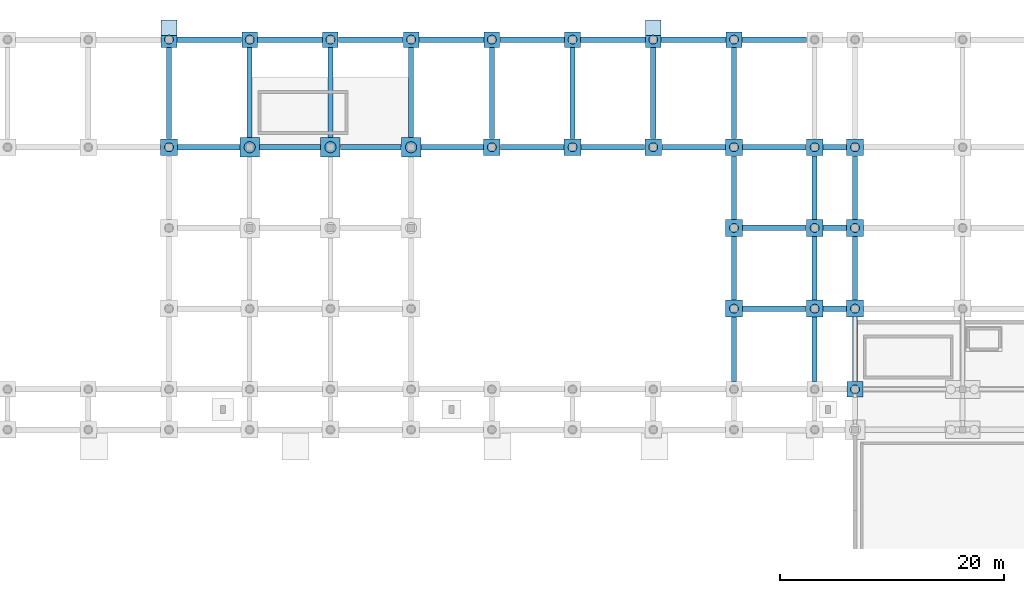
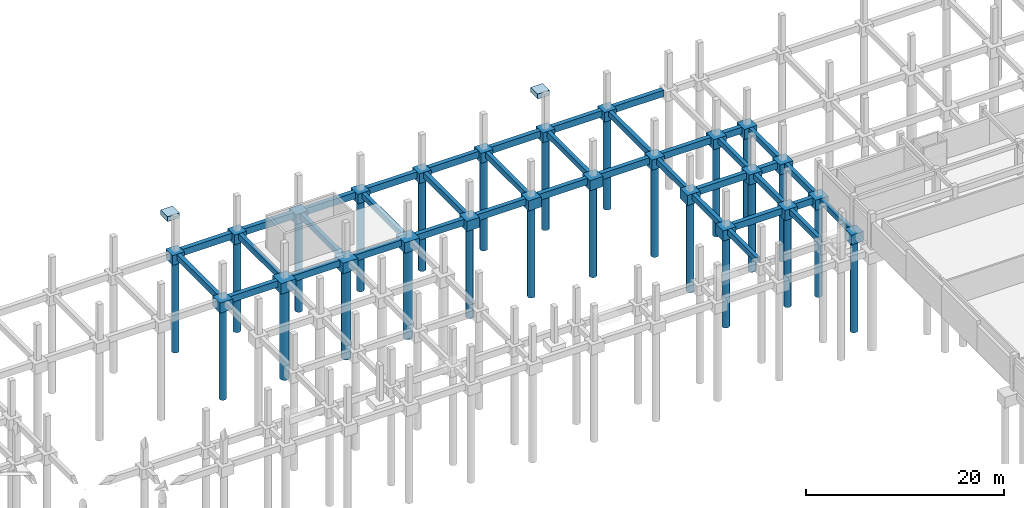
# One storey, part 7 of 20: 65 footings, 25 piles.
"""IFC4 building model written with IfcOpenShell, lengths in metres."""

from ifc_helpers import new_model, si_unit, direction, frame, origin, origin_2d, place, context, subcontext, project, spatial, polyline, rectangle, circle, outline, extrude, material, material_profile, profile_set, type_object, element, save


model = new_model("IFC4")

# Units and contexts
model_context = context("Model", 3, precision=1e-05, world=origin(), true_north=direction((0.0, 1.0)))
body_context = subcontext(model_context, "Body", "Model", "MODEL_VIEW")
ifc_project = project(units=[si_unit("LENGTHUNIT", "METRE"), si_unit("AREAUNIT", "SQUARE_METRE"), si_unit("VOLUMEUNIT", "CUBIC_METRE"), si_unit("PLANEANGLEUNIT", "RADIAN"), si_unit("MASSUNIT", "GRAM", prefix="KILO")], contexts=[model_context])

# Site, building, storey
site_placement = place(None, origin())
site = spatial("IfcSite", under=ifc_project, at=site_placement, CompositionType="ELEMENT")
building_placement = place(site_placement, origin())
building = spatial("IfcBuilding", under=site, at=building_placement, Name="Nzembalo Square Collegiate School", CompositionType="ELEMENT")
storey_placement = place(building_placement, frame((0.0, 0.0, -4.080078125)))
storey = spatial("IfcBuildingStorey", under=building, at=storey_placement, Name="B1", CompositionType="ELEMENT", Elevation=-4.080078125)

# Footings
ifc_material_1 = material(Name="Concrete C35/45", Category="concrete")
footing_type_1 = type_object("IfcFootingType", Name="PC05", PredefinedType="PILE_CAP", material=ifc_material_1)
for number, where, z_axis, x_axis, name in (
    (1, (76.800048828125, 104.39990234375, -1.60009765625), (0.0, 0.0, 1.0), (1.0, 0.0, 0.0), "Pile cap PC05 at 12/P"),
    (2, (84.0, 104.39990234375, -1.60009765625), (0.0, 0.0, 1.0), (1.0, 0.0, 0.0), "Pile cap PC05 at 13/P"),
    (3, (91.199951171875, 104.39990234375, -1.60009765625), (0.0, 0.0, 1.0), (1.0, 0.0, 0.0), "Pile cap PC05 at 14/P"),
):
    element("IfcFooting", number, at=place(storey_placement, frame(where, z_axis=z_axis, x_axis=x_axis)), inside=storey, type_object=footing_type_1, Name=name, PredefinedType="PILE_CAP", context=body_context, shape_type="SweptSolid", body=[
        extrude(rectangle(XDim=1.75, YDim=1.75, at=origin_2d()), origin(), (0.0, 0.0, 1.0), 1.300048828125),
    ])
ifc_material_2 = material(Name="Concrete C35/45", Category="concrete")
footing_type_2 = type_object("IfcFootingType", Name="PC06", PredefinedType="PILE_CAP", material=ifc_material_2)
for number, where, z_axis, x_axis, name in (
    (4, (69.60009765625, 104.39990234375, -1.5498046875), (0.0, 0.0, 1.0), (1.0, 0.0, 0.0), "Pile cap PC06 at 11/P"),
    (5, (98.39990234375, 104.39990234375, -1.5498046875), (0.0, 0.0, 1.0), (1.0, 0.0, 0.0), "Pile cap PC06 at 15/P"),
    (6, (105.60009765625, 104.39990234375, -1.5498046875), (0.0, 0.0, 1.0), (1.0, 0.0, 0.0), "Pile cap PC06 at 16/P"),
    (7, (112.800048828125, 104.39990234375, -1.5498046875), (0.0, 0.0, 1.0), (1.0, 0.0, 0.0), "Pile cap PC06 at 17/P"),
    (8, (120.0, 90.0, -1.5498046875), (0.0, 0.0, 1.0), (1.0, 0.0, 0.0), "Pile cap PC06 at 18/N"),
    (9, (120.0, 97.199951171875, -1.5498046875), (0.0, 0.0, 1.0), (1.0, 0.0, 0.0), "Pile cap PC06 at 18/O"),
    (10, (120.0, 104.39990234375, -1.5498046875), (0.0, 0.0, 1.0), (1.0, 0.0, 0.0), "Pile cap PC06 at 18/P"),
    (11, (127.199951171875, 90.0, -1.5498046875), (0.0, 0.0, 1.0), (1.0, 0.0, 0.0), "Pile cap PC06 at 19/N"),
    (12, (127.199951171875, 97.199951171875, -1.5498046875), (0.0, 0.0, 1.0), (1.0, 0.0, 0.0), "Pile cap PC06 at 19/O"),
    (13, (127.199951171875, 104.39990234375, -1.5498046875), (0.0, 0.0, 1.0), (1.0, 0.0, 0.0), "Pile cap PC06 at 19/P"),
    (14, (130.800048828125, 90.0, -1.5498046875), (0.0, 0.0, 1.0), (1.0, 0.0, 0.0), "Pile cap PC06 at 20/N"),
    (15, (130.800048828125, 97.199951171875, -1.5498046875), (0.0, 0.0, 1.0), (1.0, 0.0, 0.0), "Pile cap PC06 at 20/O"),
    (16, (130.800048828125, 104.39990234375, -1.5498046875), (0.0, 0.0, 1.0), (1.0, 0.0, 0.0), "Pile cap PC06 at 20/P"),
):
    element("IfcFooting", number, at=place(storey_placement, frame(where, z_axis=z_axis, x_axis=x_axis)), inside=storey, type_object=footing_type_2, Name=name, PredefinedType="PILE_CAP", context=body_context, shape_type="SweptSolid", body=[
        extrude(rectangle(XDim=1.5, YDim=1.5, at=origin_2d()), origin(), (0.0, 0.0, 1.0), 1.25),
    ])
ifc_material_3 = material(Name="Concrete C35/45", Category="concrete")
footing_type_3 = type_object("IfcFootingType", Name="PC07", PredefinedType="PILE_CAP", material=ifc_material_3)
for number, where, z_axis, x_axis, name in (
    (17, (69.60009765625, 114.0, -1.5), (0.0, 0.0, 1.0), (1.0, 0.0, 0.0), "Pile cap PC07 at 11/Q"),
    (18, (76.800048828125, 114.0, -1.5), (0.0, 0.0, 1.0), (1.0, 0.0, 0.0), "Pile cap PC07 at 12/Q"),
    (19, (84.0, 114.0, -1.5), (0.0, 0.0, 1.0), (1.0, 0.0, 0.0), "Pile cap PC07 at 13/Q"),
    (20, (91.199951171875, 114.0, -1.5), (0.0, 0.0, 1.0), (1.0, 0.0, 0.0), "Pile cap PC07 at 14/Q"),
    (21, (98.39990234375, 114.0, -1.5), (0.0, 0.0, 1.0), (1.0, 0.0, 0.0), "Pile cap PC07 at 15/Q"),
    (22, (105.60009765625, 114.0, -1.5), (0.0, 0.0, 1.0), (1.0, 0.0, 0.0), "Pile cap PC07 at 16/Q"),
    (23, (112.800048828125, 114.0, -1.5), (0.0, 0.0, 1.0), (1.0, 0.0, 0.0), "Pile cap PC07 at 17/Q"),
    (24, (120.0, 114.0, -1.5), (0.0, 0.0, 1.0), (1.0, 0.0, 0.0), "Pile cap PC07 at 18/Q"),
    (25, (130.800048828125, 82.800048828125, -1.5), (0.0, 0.0, 1.0), (1.0, 0.0, 0.0), "Pile cap PC07 at 20/M"),
):
    element("IfcFooting", number, at=place(storey_placement, frame(where, z_axis=z_axis, x_axis=x_axis)), inside=storey, type_object=footing_type_3, Name=name, PredefinedType="PILE_CAP", context=body_context, shape_type="SweptSolid", body=[
        extrude(rectangle(XDim=1.39990234375, YDim=1.39990234375, at=origin_2d()), origin(), (0.0, 0.0, 1.0), 1.199951171875),
    ])
ifc_material_4 = material(Name="Concrete C30/37", Category="concrete")
footing_type_4 = type_object("IfcFootingType", Name="FG01", PredefinedType="FOOTING_BEAM", material=ifc_material_4)
footing_1_placement = place(storey_placement, frame((0.0, 0.0, -1.099853515625)))
element("IfcFooting", 26, at=footing_1_placement, inside=storey, type_object=footing_type_4, Name="Ground beam FG01 18-19/N", PredefinedType="FOOTING_BEAM", context=body_context, shape_type="SweptSolid", body=[
    extrude(outline(polyline([(120.760009765625, 89.75), (126.43994140625, 89.75), (126.43994140625, 90.25), (120.760009765625, 90.25), (120.760009765625, 89.75)])), origin(), (0.0, 0.0, 1.0), 0.800048828125),
])
footing_2_placement = place(storey_placement, frame((0.0, 0.0, -1.099853515625)))
element("IfcFooting", 27, at=footing_2_placement, inside=storey, type_object=footing_type_4, Name="Ground beam FG01 19-20/N", PredefinedType="FOOTING_BEAM", context=body_context, shape_type="SweptSolid", body=[
    extrude(outline(polyline([(127.9599609375, 89.75), (130.0400390625, 89.75), (130.0400390625, 90.25), (127.9599609375, 90.25), (127.9599609375, 89.75)])), origin(), (0.0, 0.0, 1.0), 0.800048828125),
])
footing_3_placement = place(storey_placement, frame((0.0, 0.0, -1.099853515625)))
element("IfcFooting", 28, at=footing_3_placement, inside=storey, type_object=footing_type_4, Name="Ground beam FG01 18-19/O", PredefinedType="FOOTING_BEAM", context=body_context, shape_type="SweptSolid", body=[
    extrude(outline(polyline([(120.760009765625, 96.949951171875), (126.43994140625, 96.949951171875), (126.43994140625, 97.449951171875), (120.760009765625, 97.449951171875), (120.760009765625, 96.949951171875)])), origin(), (0.0, 0.0, 1.0), 0.800048828125),
])
footing_4_placement = place(storey_placement, frame((0.0, 0.0, -1.099853515625)))
element("IfcFooting", 29, at=footing_4_placement, inside=storey, type_object=footing_type_4, Name="Ground beam FG01 19-20/O", PredefinedType="FOOTING_BEAM", context=body_context, shape_type="SweptSolid", body=[
    extrude(outline(polyline([(127.9599609375, 96.949951171875), (130.0400390625, 96.949951171875), (130.0400390625, 97.449951171875), (127.9599609375, 97.449951171875), (127.9599609375, 96.949951171875)])), origin(), (0.0, 0.0, 1.0), 0.800048828125),
])
footing_5_placement = place(storey_placement, frame((0.0, 0.0, -1.099853515625)))
element("IfcFooting", 30, at=footing_5_placement, inside=storey, type_object=footing_type_4, Name="Ground beam FG01 11-12/P", PredefinedType="FOOTING_BEAM", context=body_context, shape_type="SweptSolid", body=[
    extrude(outline(polyline([(70.360107421875, 104.14990234375), (75.9150390625, 104.14990234375), (75.9150390625, 104.64990234375), (70.360107421875, 104.64990234375), (70.360107421875, 104.14990234375)])), origin(), (0.0, 0.0, 1.0), 0.800048828125),
])
footing_6_placement = place(storey_placement, frame((0.0, 0.0, -1.099853515625)))
element("IfcFooting", 31, at=footing_6_placement, inside=storey, type_object=footing_type_4, Name="Ground beam FG01 12-13/P", PredefinedType="FOOTING_BEAM", context=body_context, shape_type="SweptSolid", body=[
    extrude(outline(polyline([(77.68505859375, 104.14990234375), (83.114990234375, 104.14990234375), (83.114990234375, 104.64990234375), (77.68505859375, 104.64990234375), (77.68505859375, 104.14990234375)])), origin(), (0.0, 0.0, 1.0), 0.800048828125),
])
footing_7_placement = place(storey_placement, frame((0.0, 0.0, -1.099853515625)))
element("IfcFooting", 32, at=footing_7_placement, inside=storey, type_object=footing_type_4, Name="Ground beam FG01 13-14/P", PredefinedType="FOOTING_BEAM", context=body_context, shape_type="SweptSolid", body=[
    extrude(outline(polyline([(84.885009765625, 104.14990234375), (90.31494140625, 104.14990234375), (90.31494140625, 104.64990234375), (84.885009765625, 104.64990234375), (84.885009765625, 104.14990234375)])), origin(), (0.0, 0.0, 1.0), 0.800048828125),
])
footing_8_placement = place(storey_placement, frame((0.0, 0.0, -1.099853515625)))
element("IfcFooting", 33, at=footing_8_placement, inside=storey, type_object=footing_type_4, Name="Ground beam FG01 14-15/P", PredefinedType="FOOTING_BEAM", context=body_context, shape_type="SweptSolid", body=[
    extrude(outline(polyline([(92.0849609375, 104.14990234375), (97.639892578125, 104.14990234375), (97.639892578125, 104.64990234375), (92.0849609375, 104.64990234375), (92.0849609375, 104.14990234375)])), origin(), (0.0, 0.0, 1.0), 0.800048828125),
])
footing_9_placement = place(storey_placement, frame((0.0, 0.0, -1.099853515625)))
element("IfcFooting", 34, at=footing_9_placement, inside=storey, type_object=footing_type_4, Name="Ground beam FG01 15-16/P", PredefinedType="FOOTING_BEAM", context=body_context, shape_type="SweptSolid", body=[
    extrude(outline(polyline([(99.159912109375, 104.14990234375), (104.840087890625, 104.14990234375), (104.840087890625, 104.64990234375), (99.159912109375, 104.64990234375), (99.159912109375, 104.14990234375)])), origin(), (0.0, 0.0, 1.0), 0.800048828125),
])
footing_10_placement = place(storey_placement, frame((0.0, 0.0, -1.099853515625)))
element("IfcFooting", 35, at=footing_10_placement, inside=storey, type_object=footing_type_4, Name="Ground beam FG01 16-17/P", PredefinedType="FOOTING_BEAM", context=body_context, shape_type="SweptSolid", body=[
    extrude(outline(polyline([(106.360107421875, 104.14990234375), (112.0400390625, 104.14990234375), (112.0400390625, 104.64990234375), (106.360107421875, 104.64990234375), (106.360107421875, 104.14990234375)])), origin(), (0.0, 0.0, 1.0), 0.800048828125),
])
footing_11_placement = place(storey_placement, frame((0.0, 0.0, -1.099853515625)))
element("IfcFooting", 36, at=footing_11_placement, inside=storey, type_object=footing_type_4, Name="Ground beam FG01 17-18/P", PredefinedType="FOOTING_BEAM", context=body_context, shape_type="SweptSolid", body=[
    extrude(outline(polyline([(113.56005859375, 104.14990234375), (119.239990234375, 104.14990234375), (119.239990234375, 104.64990234375), (113.56005859375, 104.64990234375), (113.56005859375, 104.14990234375)])), origin(), (0.0, 0.0, 1.0), 0.800048828125),
])
footing_12_placement = place(storey_placement, frame((0.0, 0.0, -1.099853515625)))
element("IfcFooting", 37, at=footing_12_placement, inside=storey, type_object=footing_type_4, Name="Ground beam FG01 18-19/P", PredefinedType="FOOTING_BEAM", context=body_context, shape_type="SweptSolid", body=[
    extrude(outline(polyline([(120.760009765625, 104.14990234375), (126.43994140625, 104.14990234375), (126.43994140625, 104.64990234375), (120.760009765625, 104.64990234375), (120.760009765625, 104.14990234375)])), origin(), (0.0, 0.0, 1.0), 0.800048828125),
])
footing_13_placement = place(storey_placement, frame((0.0, 0.0, -1.099853515625)))
element("IfcFooting", 38, at=footing_13_placement, inside=storey, type_object=footing_type_4, Name="Ground beam FG01 19-20/P", PredefinedType="FOOTING_BEAM", context=body_context, shape_type="SweptSolid", body=[
    extrude(outline(polyline([(127.9599609375, 104.14990234375), (130.0400390625, 104.14990234375), (130.0400390625, 104.64990234375), (127.9599609375, 104.64990234375), (127.9599609375, 104.14990234375)])), origin(), (0.0, 0.0, 1.0), 0.800048828125),
])
footing_14_placement = place(storey_placement, frame((0.0, 0.0, -1.099853515625)))
element("IfcFooting", 39, at=footing_14_placement, inside=storey, type_object=footing_type_4, Name="Ground beam FG01 11-12/Q", PredefinedType="FOOTING_BEAM", context=body_context, shape_type="SweptSolid", body=[
    extrude(outline(polyline([(70.31005859375, 113.75), (76.090087890625, 113.75), (76.090087890625, 114.25), (70.31005859375, 114.25), (70.31005859375, 113.75)])), origin(), (0.0, 0.0, 1.0), 0.800048828125),
])
footing_15_placement = place(storey_placement, frame((0.0, 0.0, -1.099853515625)))
element("IfcFooting", 40, at=footing_15_placement, inside=storey, type_object=footing_type_4, Name="Ground beam FG01 12-13/Q", PredefinedType="FOOTING_BEAM", context=body_context, shape_type="SweptSolid", body=[
    extrude(outline(polyline([(77.510009765625, 113.75), (83.2900390625, 113.75), (83.2900390625, 114.25), (77.510009765625, 114.25), (77.510009765625, 113.75)])), origin(), (0.0, 0.0, 1.0), 0.800048828125),
])
footing_16_placement = place(storey_placement, frame((0.0, 0.0, -1.099853515625)))
element("IfcFooting", 41, at=footing_16_placement, inside=storey, type_object=footing_type_4, Name="Ground beam FG01 13-14/Q", PredefinedType="FOOTING_BEAM", context=body_context, shape_type="SweptSolid", body=[
    extrude(outline(polyline([(84.7099609375, 113.75), (90.489990234375, 113.75), (90.489990234375, 114.25), (84.7099609375, 114.25), (84.7099609375, 113.75)])), origin(), (0.0, 0.0, 1.0), 0.800048828125),
])
footing_17_placement = place(storey_placement, frame((0.0, 0.0, -1.099853515625)))
element("IfcFooting", 42, at=footing_17_placement, inside=storey, type_object=footing_type_4, Name="Ground beam FG01 14-15/Q", PredefinedType="FOOTING_BEAM", context=body_context, shape_type="SweptSolid", body=[
    extrude(outline(polyline([(91.909912109375, 113.75), (97.68994140625, 113.75), (97.68994140625, 114.25), (91.909912109375, 114.25), (91.909912109375, 113.75)])), origin(), (0.0, 0.0, 1.0), 0.800048828125),
])
footing_18_placement = place(storey_placement, frame((0.0, 0.0, -1.099853515625)))
element("IfcFooting", 43, at=footing_18_placement, inside=storey, type_object=footing_type_4, Name="Ground beam FG01 15-16/Q", PredefinedType="FOOTING_BEAM", context=body_context, shape_type="SweptSolid", body=[
    extrude(outline(polyline([(99.110107421875, 113.75), (104.889892578125, 113.75), (104.889892578125, 114.25), (99.110107421875, 114.25), (99.110107421875, 113.75)])), origin(), (0.0, 0.0, 1.0), 0.800048828125),
])
footing_19_placement = place(storey_placement, frame((0.0, 0.0, -1.099853515625)))
element("IfcFooting", 44, at=footing_19_placement, inside=storey, type_object=footing_type_4, Name="Ground beam FG01 16-17/Q", PredefinedType="FOOTING_BEAM", context=body_context, shape_type="SweptSolid", body=[
    extrude(outline(polyline([(106.31005859375, 113.75), (112.090087890625, 113.75), (112.090087890625, 114.25), (106.31005859375, 114.25), (106.31005859375, 113.75)])), origin(), (0.0, 0.0, 1.0), 0.800048828125),
])
footing_20_placement = place(storey_placement, frame((0.0, 0.0, -1.099853515625)))
element("IfcFooting", 45, at=footing_20_placement, inside=storey, type_object=footing_type_4, Name="Ground beam FG01 17-18/Q", PredefinedType="FOOTING_BEAM", context=body_context, shape_type="SweptSolid", body=[
    extrude(outline(polyline([(113.510009765625, 113.75), (119.2900390625, 113.75), (119.2900390625, 114.25), (113.510009765625, 114.25), (113.510009765625, 113.75)])), origin(), (0.0, 0.0, 1.0), 0.800048828125),
])
footing_21_placement = place(storey_placement, frame((0.0, 0.0, -1.099853515625)))
element("IfcFooting", 46, at=footing_21_placement, inside=storey, type_object=footing_type_4, Name="Ground beam FG01 18-19/Q", PredefinedType="FOOTING_BEAM", context=body_context, shape_type="SweptSolid", body=[
    extrude(outline(polyline([(120.7099609375, 113.75), (126.489990234375, 113.75), (126.489990234375, 114.25), (120.7099609375, 114.25), (120.7099609375, 113.75)])), origin(), (0.0, 0.0, 1.0), 0.800048828125),
])
ifc_material_5 = material(Name="Concrete C30/37", Category="concrete")
footing_type_5 = type_object("IfcFootingType", Name="FG02", PredefinedType="FOOTING_BEAM", material=ifc_material_5)
footing_22_placement = place(storey_placement, frame((0.0, 0.0, -1.0)))
element("IfcFooting", 47, at=footing_22_placement, inside=storey, type_object=footing_type_5, Name="Ground beam FG02 11/P-Q", PredefinedType="FOOTING_BEAM", context=body_context, shape_type="SweptSolid", body=[
    extrude(outline(polyline([(69.375, 105.159912109375), (69.824951171875, 105.159912109375), (69.824951171875, 113.2900390625), (69.375, 113.2900390625), (69.375, 105.159912109375)])), origin(), (0.0, 0.0, 1.0), 0.7001953125),
])
footing_23_placement = place(storey_placement, frame((0.0, 0.0, -1.0)))
element("IfcFooting", 48, at=footing_23_placement, inside=storey, type_object=footing_type_5, Name="Ground beam FG02 12/P-Q", PredefinedType="FOOTING_BEAM", context=body_context, shape_type="SweptSolid", body=[
    extrude(outline(polyline([(76.574951171875, 105.284912109375), (77.02490234375, 105.284912109375), (77.02490234375, 113.2900390625), (76.574951171875, 113.2900390625), (76.574951171875, 105.284912109375)])), origin(), (0.0, 0.0, 1.0), 0.7001953125),
])
footing_24_placement = place(storey_placement, frame((0.0, 0.0, -1.0)))
element("IfcFooting", 49, at=footing_24_placement, inside=storey, type_object=footing_type_5, Name="Ground beam FG02 13/P-Q", PredefinedType="FOOTING_BEAM", context=body_context, shape_type="SweptSolid", body=[
    extrude(outline(polyline([(83.77490234375, 105.284912109375), (84.22509765625, 105.284912109375), (84.22509765625, 113.2900390625), (83.77490234375, 113.2900390625), (83.77490234375, 105.284912109375)])), origin(), (0.0, 0.0, 1.0), 0.7001953125),
])
footing_25_placement = place(storey_placement, frame((0.0, 0.0, -1.0)))
element("IfcFooting", 50, at=footing_25_placement, inside=storey, type_object=footing_type_5, Name="Ground beam FG02 14/P-Q", PredefinedType="FOOTING_BEAM", context=body_context, shape_type="SweptSolid", body=[
    extrude(outline(polyline([(90.97509765625, 105.284912109375), (91.425048828125, 105.284912109375), (91.425048828125, 113.2900390625), (90.97509765625, 113.2900390625), (90.97509765625, 105.284912109375)])), origin(), (0.0, 0.0, 1.0), 0.7001953125),
])
footing_26_placement = place(storey_placement, frame((0.0, 0.0, -1.0)))
element("IfcFooting", 51, at=footing_26_placement, inside=storey, type_object=footing_type_5, Name="Ground beam FG02 15/P-Q", PredefinedType="FOOTING_BEAM", context=body_context, shape_type="SweptSolid", body=[
    extrude(outline(polyline([(98.175048828125, 105.159912109375), (98.625, 105.159912109375), (98.625, 113.2900390625), (98.175048828125, 113.2900390625), (98.175048828125, 105.159912109375)])), origin(), (0.0, 0.0, 1.0), 0.7001953125),
])
footing_27_placement = place(storey_placement, frame((0.0, 0.0, -1.0)))
element("IfcFooting", 52, at=footing_27_placement, inside=storey, type_object=footing_type_5, Name="Ground beam FG02 16/P-Q", PredefinedType="FOOTING_BEAM", context=body_context, shape_type="SweptSolid", body=[
    extrude(outline(polyline([(105.375, 105.159912109375), (105.824951171875, 105.159912109375), (105.824951171875, 113.2900390625), (105.375, 113.2900390625), (105.375, 105.159912109375)])), origin(), (0.0, 0.0, 1.0), 0.7001953125),
])
footing_28_placement = place(storey_placement, frame((0.0, 0.0, -1.0)))
element("IfcFooting", 53, at=footing_28_placement, inside=storey, type_object=footing_type_5, Name="Ground beam FG02 17/P-Q", PredefinedType="FOOTING_BEAM", context=body_context, shape_type="SweptSolid", body=[
    extrude(outline(polyline([(112.574951171875, 105.159912109375), (113.02490234375, 105.159912109375), (113.02490234375, 113.2900390625), (112.574951171875, 113.2900390625), (112.574951171875, 105.159912109375)])), origin(), (0.0, 0.0, 1.0), 0.7001953125),
])
footing_29_placement = place(storey_placement, frame((0.0, 0.0, -1.0)))
element("IfcFooting", 54, at=footing_29_placement, inside=storey, type_object=footing_type_5, Name="Ground beam FG02 18/M-N", PredefinedType="FOOTING_BEAM", context=body_context, shape_type="SweptSolid", body=[
    extrude(outline(polyline([(119.77490234375, 83.510009765625), (120.22509765625, 83.510009765625), (120.22509765625, 89.239990234375), (119.77490234375, 89.239990234375), (119.77490234375, 83.510009765625)])), origin(), (0.0, 0.0, 1.0), 0.7001953125),
])
footing_30_placement = place(storey_placement, frame((0.0, 0.0, -1.0)))
element("IfcFooting", 55, at=footing_30_placement, inside=storey, type_object=footing_type_5, Name="Ground beam FG02 18/N-O", PredefinedType="FOOTING_BEAM", context=body_context, shape_type="SweptSolid", body=[
    extrude(outline(polyline([(119.77490234375, 90.760009765625), (120.22509765625, 90.760009765625), (120.22509765625, 96.43994140625), (119.77490234375, 96.43994140625), (119.77490234375, 90.760009765625)])), origin(), (0.0, 0.0, 1.0), 0.7001953125),
])
footing_31_placement = place(storey_placement, frame((0.0, 0.0, -1.0)))
element("IfcFooting", 56, at=footing_31_placement, inside=storey, type_object=footing_type_5, Name="Ground beam FG02 18/O-P", PredefinedType="FOOTING_BEAM", context=body_context, shape_type="SweptSolid", body=[
    extrude(outline(polyline([(119.77490234375, 97.9599609375), (120.22509765625, 97.9599609375), (120.22509765625, 103.639892578125), (119.77490234375, 103.639892578125), (119.77490234375, 97.9599609375)])), origin(), (0.0, 0.0, 1.0), 0.7001953125),
])
footing_32_placement = place(storey_placement, frame((0.0, 0.0, -1.0)))
element("IfcFooting", 57, at=footing_32_placement, inside=storey, type_object=footing_type_5, Name="Ground beam FG02 18/P-Q", PredefinedType="FOOTING_BEAM", context=body_context, shape_type="SweptSolid", body=[
    extrude(outline(polyline([(119.77490234375, 105.159912109375), (120.22509765625, 105.159912109375), (120.22509765625, 113.2900390625), (119.77490234375, 113.2900390625), (119.77490234375, 105.159912109375)])), origin(), (0.0, 0.0, 1.0), 0.7001953125),
])
footing_33_placement = place(storey_placement, frame((0.0, 0.0, -1.0)))
element("IfcFooting", 58, at=footing_33_placement, inside=storey, type_object=footing_type_5, Name="Ground beam FG02 19/M-N", PredefinedType="FOOTING_BEAM", context=body_context, shape_type="SweptSolid", body=[
    extrude(outline(polyline([(126.97509765625, 83.510009765625), (127.425048828125, 83.510009765625), (127.425048828125, 89.239990234375), (126.97509765625, 89.239990234375), (126.97509765625, 83.510009765625)])), origin(), (0.0, 0.0, 1.0), 0.7001953125),
])
footing_34_placement = place(storey_placement, frame((0.0, 0.0, -1.0)))
element("IfcFooting", 59, at=footing_34_placement, inside=storey, type_object=footing_type_5, Name="Ground beam FG02 19/N-O", PredefinedType="FOOTING_BEAM", context=body_context, shape_type="SweptSolid", body=[
    extrude(outline(polyline([(126.97509765625, 90.760009765625), (127.425048828125, 90.760009765625), (127.425048828125, 96.43994140625), (126.97509765625, 96.43994140625), (126.97509765625, 90.760009765625)])), origin(), (0.0, 0.0, 1.0), 0.7001953125),
])
footing_35_placement = place(storey_placement, frame((0.0, 0.0, -1.0)))
element("IfcFooting", 60, at=footing_35_placement, inside=storey, type_object=footing_type_5, Name="Ground beam FG02 19/O-P", PredefinedType="FOOTING_BEAM", context=body_context, shape_type="SweptSolid", body=[
    extrude(outline(polyline([(126.97509765625, 97.9599609375), (127.425048828125, 97.9599609375), (127.425048828125, 103.639892578125), (126.97509765625, 103.639892578125), (126.97509765625, 97.9599609375)])), origin(), (0.0, 0.0, 1.0), 0.7001953125),
])
footing_36_placement = place(storey_placement, frame((0.0, 0.0, -1.0)))
element("IfcFooting", 61, at=footing_36_placement, inside=storey, type_object=footing_type_5, Name="Ground beam FG02 20/M-N", PredefinedType="FOOTING_BEAM", context=body_context, shape_type="SweptSolid", body=[
    extrude(outline(polyline([(130.574951171875, 83.510009765625), (131.02490234375, 83.510009765625), (131.02490234375, 89.239990234375), (130.574951171875, 89.239990234375), (130.574951171875, 83.510009765625)])), origin(), (0.0, 0.0, 1.0), 0.7001953125),
])
footing_37_placement = place(storey_placement, frame((0.0, 0.0, -1.0)))
element("IfcFooting", 62, at=footing_37_placement, inside=storey, type_object=footing_type_5, Name="Ground beam FG02 20/N-O", PredefinedType="FOOTING_BEAM", context=body_context, shape_type="SweptSolid", body=[
    extrude(outline(polyline([(130.574951171875, 90.760009765625), (131.02490234375, 90.760009765625), (131.02490234375, 96.43994140625), (130.574951171875, 96.43994140625), (130.574951171875, 90.760009765625)])), origin(), (0.0, 0.0, 1.0), 0.7001953125),
])
footing_38_placement = place(storey_placement, frame((0.0, 0.0, -1.0)))
element("IfcFooting", 63, at=footing_38_placement, inside=storey, type_object=footing_type_5, Name="Ground beam FG02 20/O-P", PredefinedType="FOOTING_BEAM", context=body_context, shape_type="SweptSolid", body=[
    extrude(outline(polyline([(130.574951171875, 97.9599609375), (131.02490234375, 97.9599609375), (131.02490234375, 103.639892578125), (130.574951171875, 103.639892578125), (130.574951171875, 97.9599609375)])), origin(), (0.0, 0.0, 1.0), 0.7001953125),
])
ifc_material_6 = material(Name="Concrete C35/45", Category="concrete")
footing_type_6 = type_object("IfcFootingType", Name="PF06", PredefinedType="PAD_FOOTING", material=ifc_material_6)
for number, where, z_axis, x_axis, name in (
    (64, (69.60009765625, 115.050048828125, 3.260009765625), (0.0, 0.0, 1.0), (1.0, 0.0, 0.0), "Apron foundation pad PF06-02"),
    (65, (112.800048828125, 115.050048828125, 3.260009765625), (0.0, 0.0, 1.0), (1.0, 0.0, 0.0), "Apron foundation pad PF06-03"),
):
    element("IfcFooting", number, at=place(storey_placement, frame(where, z_axis=z_axis, x_axis=x_axis)), inside=storey, type_object=footing_type_6, Name=name, PredefinedType="PAD_FOOTING", context=body_context, shape_type="SweptSolid", body=[
        extrude(rectangle(XDim=1.39990234375, YDim=1.39990234375, at=origin_2d()), origin(), (0.0, 0.0, 1.0), 0.60009765625),
    ])

# Piles
ifc_material_7 = material(Name="Concrete C30/37", Category="concrete")
ifc_material_profile_1 = material_profile(ifc_material_7, circle(Radius=0.5, at=origin_2d()), Name="PILE D1000")
ifc_profile_set_1 = profile_set([ifc_material_profile_1], Name="Concrete C30/37")
pile_type_1 = type_object("IfcPileType", Name="P01", PredefinedType="BORED", material=ifc_profile_set_1)
for number, where, z_axis, x_axis, name in (
    (66, (76.800048828125, 104.39990234375, -1.5), (0.0, 0.0, -1.0), (1.0, 0.0, 0.0), "Bored pile P01-029"),
    (67, (84.0, 104.39990234375, -1.5), (0.0, 0.0, -1.0), (1.0, 0.0, 0.0), "Bored pile P01-035"),
    (68, (91.199951171875, 104.39990234375, -1.5), (0.0, 0.0, -1.0), (1.0, 0.0, 0.0), "Bored pile P01-041"),
):
    element("IfcPile", number, at=place(storey_placement, frame(where, z_axis=z_axis, x_axis=x_axis)), inside=storey, type_object=pile_type_1, Name=name, PredefinedType="BORED", context=body_context, shape_type="SweptSolid", body=[
        extrude(circle(Radius=0.5, at=origin_2d()), origin(), (0.0, 0.0, 1.0), 11.219970703125),
    ])
ifc_material_8 = material(Name="Concrete C30/37", Category="concrete")
ifc_material_profile_2 = material_profile(ifc_material_8, circle(Radius=0.39990234375, at=origin_2d()), Name="PILE D800")
ifc_profile_set_2 = profile_set([ifc_material_profile_2], Name="Concrete C30/37")
pile_type_2 = type_object("IfcPileType", Name="P02", PredefinedType="BORED", material=ifc_profile_set_2)
pile_1_placement = place(storey_placement, frame((69.60009765625, 104.39990234375, -1.449951171875), z_axis=(0.0, 0.0, -1.0), x_axis=(1.0, 0.0, 0.0)))
element("IfcPile", 69, at=pile_1_placement, inside=storey, type_object=pile_type_2, Name="Bored pile P02-023", PredefinedType="BORED", context=body_context, shape_type="SweptSolid", body=[
    extrude(circle(Radius=0.39990234375, at=origin_2d()), origin(), (0.0, 0.0, 1.0), 11.27001953125),
])
for number, where, z_axis, x_axis, name in (
    (70, (69.60009765625, 114.0, -1.39990234375), (0.0, 0.0, -1.0), (1.0, 0.0, 0.0), "Bored pile P02-024"),
    (71, (76.800048828125, 114.0, -1.39990234375), (0.0, 0.0, -1.0), (1.0, 0.0, 0.0), "Bored pile P02-030"),
    (72, (84.0, 114.0, -1.39990234375), (0.0, 0.0, -1.0), (1.0, 0.0, 0.0), "Bored pile P02-036"),
    (73, (91.199951171875, 114.0, -1.39990234375), (0.0, 0.0, -1.0), (1.0, 0.0, 0.0), "Bored pile P02-042"),
):
    element("IfcPile", number, at=place(storey_placement, frame(where, z_axis=z_axis, x_axis=x_axis)), inside=storey, type_object=pile_type_2, Name=name, PredefinedType="BORED", context=body_context, shape_type="SweptSolid", body=[
        extrude(circle(Radius=0.39990234375, at=origin_2d()), origin(), (0.0, 0.0, 1.0), 11.320068359375),
    ])
pile_2_placement = place(storey_placement, frame((98.39990234375, 104.39990234375, -1.449951171875), z_axis=(0.0, 0.0, -1.0), x_axis=(1.0, 0.0, 0.0)))
element("IfcPile", 74, at=pile_2_placement, inside=storey, type_object=pile_type_2, Name="Bored pile P02-045", PredefinedType="BORED", context=body_context, shape_type="SweptSolid", body=[
    extrude(circle(Radius=0.39990234375, at=origin_2d()), origin(), (0.0, 0.0, 1.0), 11.27001953125),
])
pile_3_placement = place(storey_placement, frame((98.39990234375, 114.0, -1.39990234375), z_axis=(0.0, 0.0, -1.0), x_axis=(1.0, 0.0, 0.0)))
element("IfcPile", 75, at=pile_3_placement, inside=storey, type_object=pile_type_2, Name="Bored pile P02-046", PredefinedType="BORED", context=body_context, shape_type="SweptSolid", body=[
    extrude(circle(Radius=0.39990234375, at=origin_2d()), origin(), (0.0, 0.0, 1.0), 11.320068359375),
])
pile_4_placement = place(storey_placement, frame((105.60009765625, 104.39990234375, -1.449951171875), z_axis=(0.0, 0.0, -1.0), x_axis=(1.0, 0.0, 0.0)))
element("IfcPile", 76, at=pile_4_placement, inside=storey, type_object=pile_type_2, Name="Bored pile P02-049", PredefinedType="BORED", context=body_context, shape_type="SweptSolid", body=[
    extrude(circle(Radius=0.39990234375, at=origin_2d()), origin(), (0.0, 0.0, 1.0), 11.27001953125),
])
pile_5_placement = place(storey_placement, frame((105.60009765625, 114.0, -1.39990234375), z_axis=(0.0, 0.0, -1.0), x_axis=(1.0, 0.0, 0.0)))
element("IfcPile", 77, at=pile_5_placement, inside=storey, type_object=pile_type_2, Name="Bored pile P02-050", PredefinedType="BORED", context=body_context, shape_type="SweptSolid", body=[
    extrude(circle(Radius=0.39990234375, at=origin_2d()), origin(), (0.0, 0.0, 1.0), 11.320068359375),
])
pile_6_placement = place(storey_placement, frame((112.800048828125, 104.39990234375, -1.449951171875), z_axis=(0.0, 0.0, -1.0), x_axis=(1.0, 0.0, 0.0)))
element("IfcPile", 78, at=pile_6_placement, inside=storey, type_object=pile_type_2, Name="Bored pile P02-053", PredefinedType="BORED", context=body_context, shape_type="SweptSolid", body=[
    extrude(circle(Radius=0.39990234375, at=origin_2d()), origin(), (0.0, 0.0, 1.0), 11.27001953125),
])
pile_7_placement = place(storey_placement, frame((112.800048828125, 114.0, -1.39990234375), z_axis=(0.0, 0.0, -1.0), x_axis=(1.0, 0.0, 0.0)))
element("IfcPile", 79, at=pile_7_placement, inside=storey, type_object=pile_type_2, Name="Bored pile P02-054", PredefinedType="BORED", context=body_context, shape_type="SweptSolid", body=[
    extrude(circle(Radius=0.39990234375, at=origin_2d()), origin(), (0.0, 0.0, 1.0), 11.320068359375),
])
for number, where, z_axis, x_axis, name in (
    (80, (120.0, 90.0, -1.449951171875), (0.0, 0.0, -1.0), (1.0, 0.0, 0.0), "Bored pile P02-057"),
    (81, (120.0, 97.199951171875, -1.449951171875), (0.0, 0.0, -1.0), (1.0, 0.0, 0.0), "Bored pile P02-058"),
    (82, (120.0, 104.39990234375, -1.449951171875), (0.0, 0.0, -1.0), (1.0, 0.0, 0.0), "Bored pile P02-059"),
):
    element("IfcPile", number, at=place(storey_placement, frame(where, z_axis=z_axis, x_axis=x_axis)), inside=storey, type_object=pile_type_2, Name=name, PredefinedType="BORED", context=body_context, shape_type="SweptSolid", body=[
        extrude(circle(Radius=0.39990234375, at=origin_2d()), origin(), (0.0, 0.0, 1.0), 11.27001953125),
    ])
pile_8_placement = place(storey_placement, frame((120.0, 114.0, -1.39990234375), z_axis=(0.0, 0.0, -1.0), x_axis=(1.0, 0.0, 0.0)))
element("IfcPile", 83, at=pile_8_placement, inside=storey, type_object=pile_type_2, Name="Bored pile P02-060", PredefinedType="BORED", context=body_context, shape_type="SweptSolid", body=[
    extrude(circle(Radius=0.39990234375, at=origin_2d()), origin(), (0.0, 0.0, 1.0), 11.320068359375),
])
for number, where, z_axis, x_axis, name in (
    (84, (127.199951171875, 90.0, -1.449951171875), (0.0, 0.0, -1.0), (1.0, 0.0, 0.0), "Bored pile P02-063"),
    (85, (127.199951171875, 97.199951171875, -1.449951171875), (0.0, 0.0, -1.0), (1.0, 0.0, 0.0), "Bored pile P02-064"),
    (86, (127.199951171875, 104.39990234375, -1.449951171875), (0.0, 0.0, -1.0), (1.0, 0.0, 0.0), "Bored pile P02-065"),
):
    element("IfcPile", number, at=place(storey_placement, frame(where, z_axis=z_axis, x_axis=x_axis)), inside=storey, type_object=pile_type_2, Name=name, PredefinedType="BORED", context=body_context, shape_type="SweptSolid", body=[
        extrude(circle(Radius=0.39990234375, at=origin_2d()), origin(), (0.0, 0.0, 1.0), 11.27001953125),
    ])
pile_9_placement = place(storey_placement, frame((130.800048828125, 82.800048828125, -1.39990234375), z_axis=(0.0, 0.0, -1.0), x_axis=(1.0, 0.0, 0.0)))
element("IfcPile", 87, at=pile_9_placement, inside=storey, type_object=pile_type_2, Name="Bored pile P02-097", PredefinedType="BORED", context=body_context, shape_type="SweptSolid", body=[
    extrude(circle(Radius=0.39990234375, at=origin_2d()), origin(), (0.0, 0.0, 1.0), 11.320068359375),
])
for number, where, z_axis, x_axis, name in (
    (88, (130.800048828125, 90.0, -1.449951171875), (0.0, 0.0, -1.0), (1.0, 0.0, 0.0), "Bored pile P02-098"),
    (89, (130.800048828125, 97.199951171875, -1.449951171875), (0.0, 0.0, -1.0), (1.0, 0.0, 0.0), "Bored pile P02-099"),
    (90, (130.800048828125, 104.39990234375, -1.449951171875), (0.0, 0.0, -1.0), (1.0, 0.0, 0.0), "Bored pile P02-100"),
):
    element("IfcPile", number, at=place(storey_placement, frame(where, z_axis=z_axis, x_axis=x_axis)), inside=storey, type_object=pile_type_2, Name=name, PredefinedType="BORED", context=body_context, shape_type="SweptSolid", body=[
        extrude(circle(Radius=0.39990234375, at=origin_2d()), origin(), (0.0, 0.0, 1.0), 11.27001953125),
    ])

save(model, "model.ifc")
